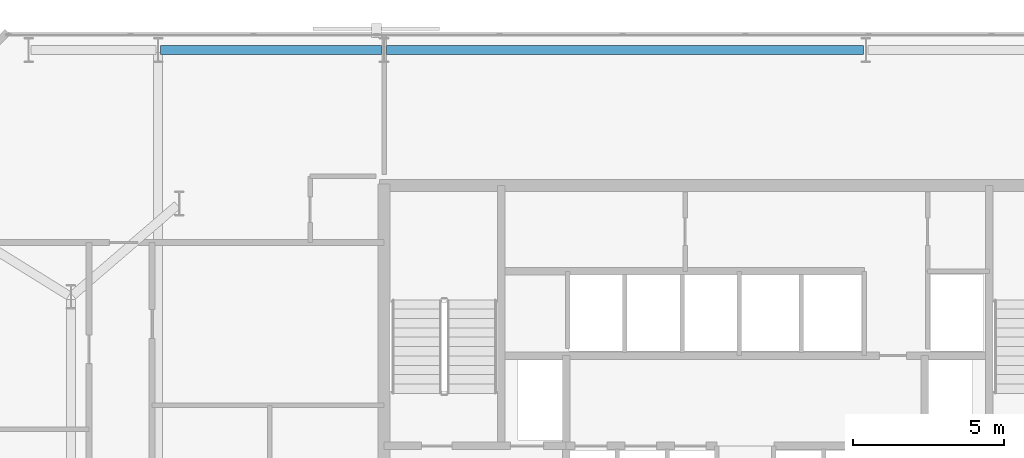
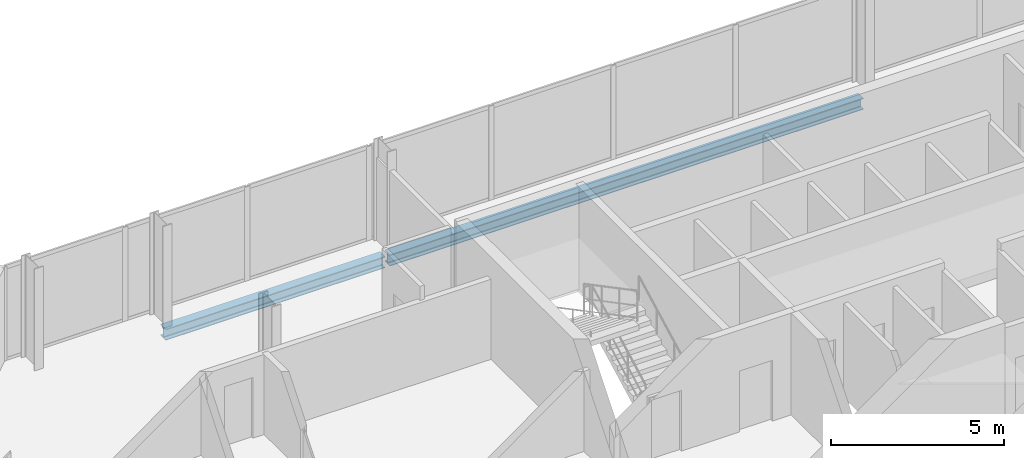
# One storey, part 20 of 32: 2 beams.
"""IFC4 building model written with IfcOpenShell, lengths in metres."""

from ifc_helpers import new_model, si_unit, direction, frame, origin, origin_2d, place, context, subcontext, project, spatial, i_section, extrude, material, material_profile, profile_set, type_object, element, save


model = new_model("IFC4")

# Units and contexts
model_context = context("Model", 3, precision=1e-05, world=origin(), true_north=direction((0.0, 1.0)))
body_context = subcontext(model_context, "Body", "Model", "MODEL_VIEW")
ifc_project = project(units=[si_unit("LENGTHUNIT", "METRE"), si_unit("AREAUNIT", "SQUARE_METRE"), si_unit("VOLUMEUNIT", "CUBIC_METRE"), si_unit("PLANEANGLEUNIT", "RADIAN"), si_unit("MASSUNIT", "GRAM", prefix="KILO")], contexts=[model_context])

# Site, building, storey
site_placement = place(None, origin())
site = spatial("IfcSite", under=ifc_project, at=site_placement, CompositionType="ELEMENT")
building_placement = place(site_placement, origin())
building = spatial("IfcBuilding", under=site, at=building_placement, Name="Catumbela Crestline Tower", CompositionType="ELEMENT")
storey_placement = place(building_placement, frame((0.0, 0.0, 69.0)))
storey = spatial("IfcBuildingStorey", under=building, at=storey_placement, Name="L17", CompositionType="ELEMENT", Elevation=69.0)

# Beams
ifc_material = material(Name="Structural steel S355J2", Category="steel")
ifc_material_profile = material_profile(ifc_material, i_section(OverallWidth=0.3, OverallDepth=0.4, WebThickness=0.0135, FlangeThickness=0.024, FilletRadius=0.027, at=origin_2d()), Name="HEB 400")
ifc_profile_set = profile_set([ifc_material_profile], Name="Structural steel S355J2")
beam_type = type_object("IfcBeamType", Name="BS-HEB400", PredefinedType="SPANDREL", material=ifc_profile_set)
beam_1_placement = place(storey_placement, frame((8.58, 47.4, -0.46), z_axis=(1.0, 0.0, 0.0), x_axis=(0.0, 1.0, 0.0)))
element("IfcBeam", 1, at=beam_1_placement, inside=storey, type_object=beam_type, Name="L17 Spandrel SP-L17-NF20", PredefinedType="SPANDREL", context=body_context, shape_type="SweptSolid", body=[
    extrude(i_section(OverallWidth=0.3, OverallDepth=0.4, WebThickness=0.0135, FlangeThickness=0.024, FilletRadius=0.027, at=origin_2d()), origin(), (0.0, 0.0, 1.0), 7.34),
])
beam_2_placement = place(storey_placement, frame((16.08, 47.4, -0.46), z_axis=(1.0, 0.0, 0.0), x_axis=(0.0, 1.0, 0.0)))
element("IfcBeam", 2, at=beam_2_placement, inside=storey, type_object=beam_type, Name="L17 Spandrel SP-L17-NF21", PredefinedType="SPANDREL", context=body_context, shape_type="SweptSolid", body=[
    extrude(i_section(OverallWidth=0.3, OverallDepth=0.4, WebThickness=0.0135, FlangeThickness=0.024, FilletRadius=0.027, at=origin_2d()), origin(), (0.0, 0.0, 1.0), 15.84),
])

save(model, "model.ifc")
